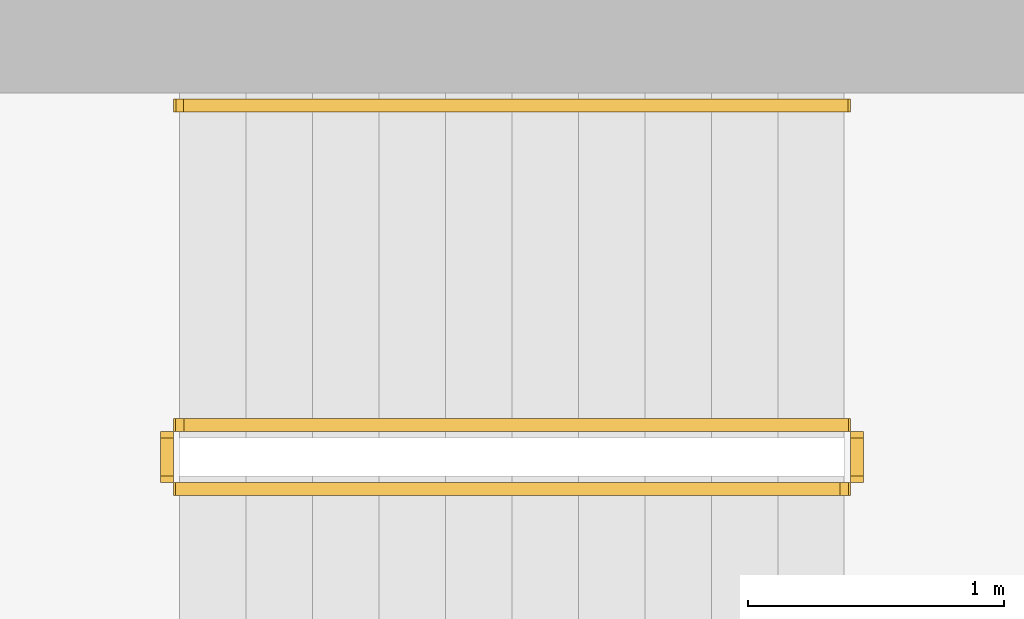
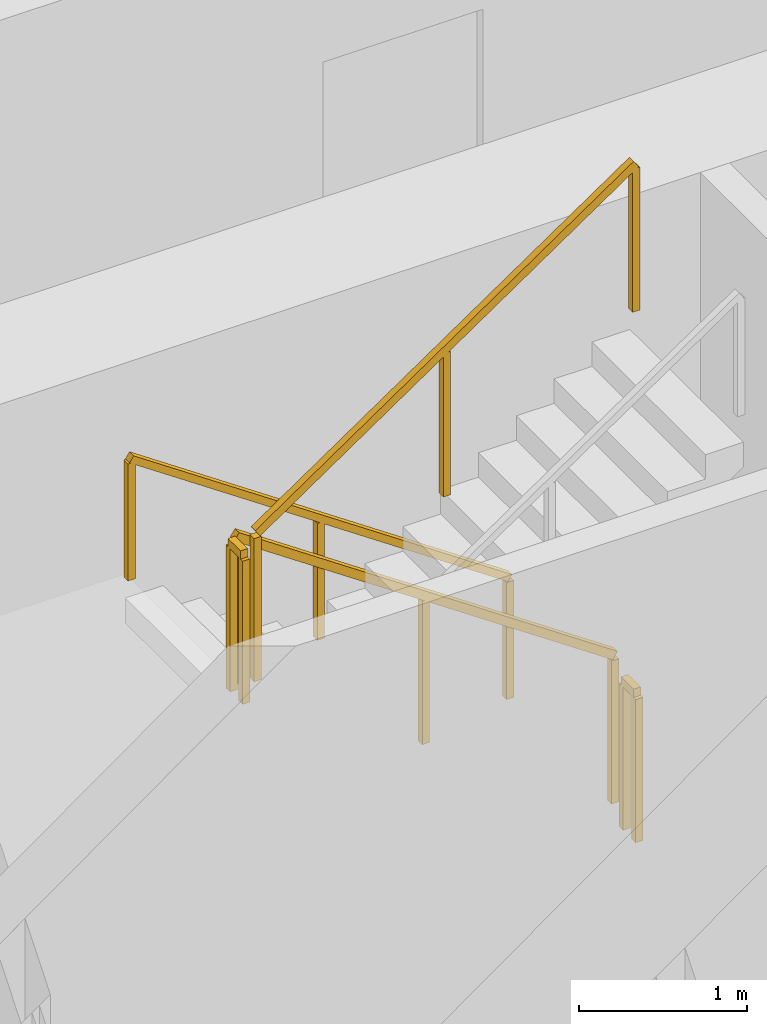
# One storey, part 14 of 15: 5 railings.
"""IFC4 building model written with IfcOpenShell, lengths in metres."""

from ifc_helpers import new_model, si_unit, direction, frame, origin, origin_2d, place, context, subcontext, project, spatial, rectangle, extrude, material, type_object, element, save


model = new_model("IFC4")

# Units and contexts
model_context = context("Model", 3, precision=1e-05, world=origin(), true_north=direction((0.0, 1.0)))
body_context = subcontext(model_context, "Body", "Model", "MODEL_VIEW")
ifc_project = project(units=[si_unit("LENGTHUNIT", "METRE"), si_unit("AREAUNIT", "SQUARE_METRE"), si_unit("VOLUMEUNIT", "CUBIC_METRE"), si_unit("PLANEANGLEUNIT", "RADIAN"), si_unit("MASSUNIT", "GRAM", prefix="KILO")], contexts=[model_context])

# Site, building, storey
site_placement = place(None, origin())
site = spatial("IfcSite", under=ifc_project, at=site_placement, CompositionType="ELEMENT")
building_placement = place(site_placement, origin())
building = spatial("IfcBuilding", under=site, at=building_placement, Name="Khepri Terraces", CompositionType="ELEMENT")
storey_placement = place(building_placement, frame((0.0, 0.0, 256.199951171875)))
storey = spatial("IfcBuildingStorey", under=building, at=storey_placement, Name="L61", CompositionType="ELEMENT", Elevation=256.199951171875)

# Railings
ifc_material = material(Name="Stainless steel 316", Category="steel")
railing_type_1 = type_object("IfcRailingType", Name="RL-CORE-GUARD", PredefinedType="GUARDRAIL", material=ifc_material)
railing_1_placement = place(storey_placement, frame((-0.25, 8.800048828125, 0.17724609375)))
element("IfcRailing", 1, at=railing_1_placement, inside=storey, type_object=railing_type_1, Name="L61 ST-3 stair guard 1", PredefinedType="GUARDRAIL", context=body_context, shape_type="SweptSolid", body=[
    extrude(rectangle(XDim=0.050048828125, YDim=0.06005859375, at=origin_2d()), frame((0.0, 0.0, 1.070068359375), z_axis=(-0.826240473404, 0.0, 0.563317565952), x_axis=(0.0, -1.0, 0.0)), (0.0, 0.0, 1.0), 3.14697265625),
    extrude(rectangle(XDim=0.050048828125, YDim=0.050048828125, at=origin_2d()), origin(), (0.0, 0.0, 1.0), 1.0400390625),
    extrude(rectangle(XDim=0.050048828125, YDim=0.050048828125, at=origin_2d()), frame((-1.300048828125, 0.0, 0.88623046875)), (0.0, 0.0, 1.0), 1.0400390625),
    extrude(rectangle(XDim=0.050048828125, YDim=0.050048828125, at=origin_2d()), frame((-2.60009765625, 0.0, 1.772705078125)), (0.0, 0.0, 1.0), 1.0400390625),
])
railing_2_placement = place(storey_placement, frame((-2.89990234375, 8.75, 1.949951171875)))
element("IfcRailing", 2, at=railing_2_placement, inside=storey, type_object=railing_type_1, Name="L61 ST-3 stair guard 2", PredefinedType="GUARDRAIL", context=body_context, shape_type="SweptSolid", body=[
    extrude(rectangle(XDim=0.050048828125, YDim=0.06005859375, at=origin_2d()), frame((0.0, 0.0, 1.070068359375), z_axis=(0.0, -1.0, 0.0), x_axis=(1.0, 0.0, 0.0)), (0.0, 0.0, 1.0), 0.14990234375),
    extrude(rectangle(XDim=0.050048828125, YDim=0.050048828125, at=origin_2d()), origin(), (0.0, 0.0, 1.0), 1.0400390625),
    extrude(rectangle(XDim=0.050048828125, YDim=0.050048828125, at=origin_2d()), frame((0.0, -0.14990234375, 0.0)), (0.0, 0.0, 1.0), 1.0400390625),
])
railing_3_placement = place(storey_placement, frame((-2.85009765625, 8.550048828125, 2.12744140625)))
element("IfcRailing", 3, at=railing_3_placement, inside=storey, type_object=railing_type_1, Name="L61 ST-3 stair guard 3", PredefinedType="GUARDRAIL", context=body_context, shape_type="SweptSolid", body=[
    extrude(rectangle(XDim=0.050048828125, YDim=0.06005859375, at=origin_2d()), frame((0.0, 0.0, 1.070068359375), z_axis=(0.826240473404, 0.0, 0.563317565952), x_axis=(0.0, 1.0, 0.0)), (0.0, 0.0, 1.0), 3.14697265625),
    extrude(rectangle(XDim=0.050048828125, YDim=0.050048828125, at=origin_2d()), origin(), (0.0, 0.0, 1.0), 1.0400390625),
    extrude(rectangle(XDim=0.050048828125, YDim=0.050048828125, at=origin_2d()), frame((1.300048828125, 0.0, 0.88623046875)), (0.0, 0.0, 1.0), 1.0400390625),
    extrude(rectangle(XDim=0.050048828125, YDim=0.050048828125, at=origin_2d()), frame((2.60009765625, 0.0, 1.772705078125)), (0.0, 0.0, 1.0), 1.0400390625),
])
railing_4_placement = place(storey_placement, frame((-0.199951171875, 8.75, 0.0)))
element("IfcRailing", 4, at=railing_4_placement, inside=storey, type_object=railing_type_1, Name="L61 ST-3 stair guard 4", PredefinedType="GUARDRAIL", context=body_context, shape_type="SweptSolid", body=[
    extrude(rectangle(XDim=0.050048828125, YDim=0.06005859375, at=origin_2d()), frame((0.0, 0.0, 1.070068359375), z_axis=(0.0, -1.0, 0.0), x_axis=(1.0, 0.0, 0.0)), (0.0, 0.0, 1.0), 0.14990234375),
    extrude(rectangle(XDim=0.050048828125, YDim=0.050048828125, at=origin_2d()), origin(), (0.0, 0.0, 1.0), 1.0400390625),
    extrude(rectangle(XDim=0.050048828125, YDim=0.050048828125, at=origin_2d()), frame((0.0, -0.14990234375, 0.0)), (0.0, 0.0, 1.0), 1.0400390625),
])
railing_type_2 = type_object("IfcRailingType", Name="RL-CORE-HANDRAIL", PredefinedType="HANDRAIL", material=ifc_material)
railing_5_placement = place(storey_placement, frame((-0.25, 10.050048828125, 0.17724609375)))
element("IfcRailing", 5, at=railing_5_placement, inside=storey, type_object=railing_type_2, Name="L61 ST-3 stair handrail 1", PredefinedType="HANDRAIL", context=body_context, shape_type="SweptSolid", body=[
    extrude(rectangle(XDim=0.050048828125, YDim=0.050048828125, at=origin_2d()), frame((0.0, 0.0, 0.875), z_axis=(-0.826240473404, 0.0, 0.563317565952), x_axis=(0.0, -1.0, 0.0)), (0.0, 0.0, 1.0), 3.14697265625),
    extrude(rectangle(XDim=0.050048828125, YDim=0.050048828125, at=origin_2d()), origin(), (0.0, 0.0, 1.0), 0.849853515625),
    extrude(rectangle(XDim=0.050048828125, YDim=0.050048828125, at=origin_2d()), frame((-1.300048828125, 0.0, 0.88623046875)), (0.0, 0.0, 1.0), 0.849853515625),
    extrude(rectangle(XDim=0.050048828125, YDim=0.050048828125, at=origin_2d()), frame((-2.60009765625, 0.0, 1.772705078125)), (0.0, 0.0, 1.0), 0.849853515625),
])

save(model, "model.ifc")
